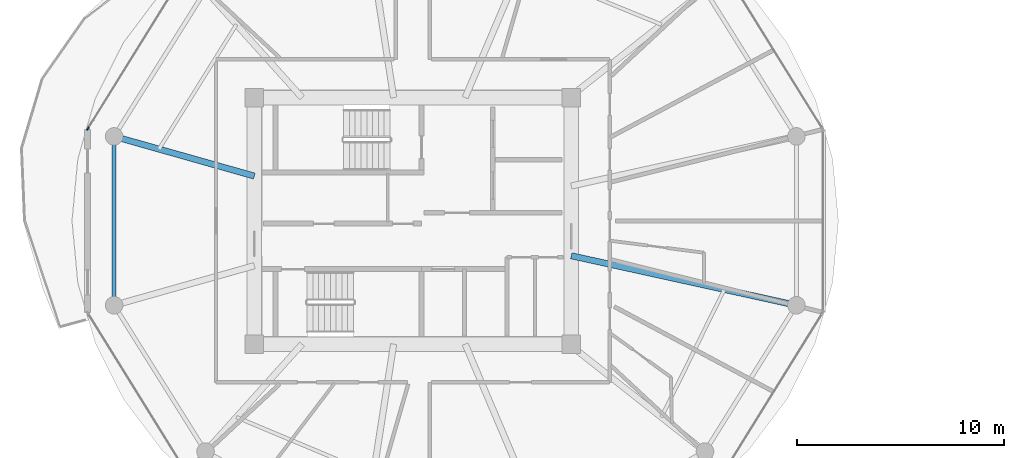
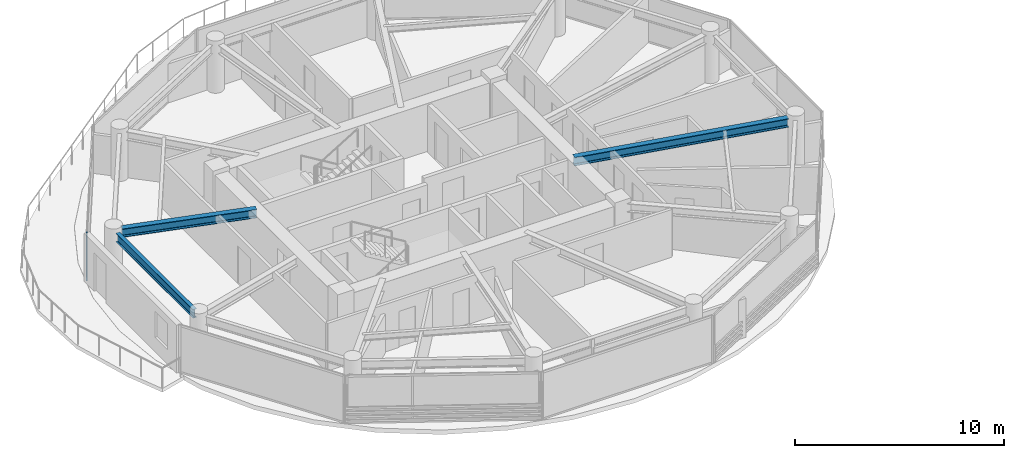
# One storey, part 3 of 24: 3 beams, 1 member, 1 element without a shape of its own.
"""IFC4 building model written with IfcOpenShell, lengths in metres."""

from ifc_helpers import new_model, si_unit, direction, frame, origin, origin_2d, place, context, subcontext, project, spatial, rectangle, i_section, extrude, source, transform, mapped, material, layer, layer_set, material_profile, profile_set, type_object, type_shapes, element, aggregate, save


model = new_model("IFC4")

# Units and contexts
model_context = context("Model", 3, precision=1e-05, world=origin(), true_north=direction((0.0, 1.0)))
body_context = subcontext(model_context, "Body", "Model", "MODEL_VIEW")
ifc_project = project(units=[si_unit("LENGTHUNIT", "METRE"), si_unit("AREAUNIT", "SQUARE_METRE"), si_unit("VOLUMEUNIT", "CUBIC_METRE"), si_unit("PLANEANGLEUNIT", "RADIAN"), si_unit("MASSUNIT", "GRAM", prefix="KILO")], contexts=[model_context])

# Site, building, storey
site_placement = place(None, origin())
site = spatial("IfcSite", under=ifc_project, at=site_placement, CompositionType="ELEMENT")
building_placement = place(site_placement, origin())
building = spatial("IfcBuilding", under=site, at=building_placement, Name="Norrkilde Senior Care Towers", CompositionType="ELEMENT")
storey_placement = place(building_placement, frame((0.0, 0.0, 90.14990234375)))
storey = spatial("IfcBuildingStorey", under=building, at=storey_placement, Name="L27", CompositionType="ELEMENT", Elevation=90.14990234375)

# Beams
ifc_material_1 = material(Name="Steel S355", Category="steel")
ifc_material_profile_1 = material_profile(ifc_material_1, i_section(OverallWidth=0.300048828125, OverallDepth=0.5, WebThickness=0.014404296875, FlangeThickness=0.028076171875, FilletRadius=0.027099609375, at=origin_2d()), Name="HEB 500")
ifc_profile_set_1 = profile_set([ifc_material_profile_1], Name="Steel S355")
beam_type_1 = type_object("IfcBeamType", Name="Radial Floor Beam Z2 HEB500", PredefinedType="BEAM", material=ifc_profile_set_1)
shared_shape_1 = source(origin(), body_context, "Body", "SweptSolid", [
    extrude(i_section(OverallWidth=0.300048828125, OverallDepth=0.5, WebThickness=0.014404296875, FlangeThickness=0.028076171875, FilletRadius=0.027099609375, at=origin_2d()), origin(), (0.0, 0.0, 1.0), 10.744384765625),
])
beam_1_placement = place(storey_placement, frame((-20.35009765625, -1.683837890625, 2.5400390625), z_axis=(0.976618711422, -0.214978818724, 0.0), x_axis=(0.214978818724, 0.976618711422, 0.0)))
element("IfcBeam", 1, at=beam_1_placement, inside=storey, type_object=beam_type_1, Name="L27 Drum W Radial Floor Beam 12", PredefinedType="BEAM", context=body_context, shape_type="MappedRepresentation", body=[
    mapped(shared_shape_1, transform((0.0, 0.0, 0.0), x_axis=(1.0, 0.0, 0.0), y_axis=(0.0, 1.0, 0.0), z_axis=(0.0, 0.0, 1.0), scale=1.0)),
])
ifc_material_profile_2 = material_profile(ifc_material_1, i_section(OverallWidth=0.199951171875, OverallDepth=0.5, WebThickness=0.01025390625, FlangeThickness=0.01611328125, FilletRadius=0.02099609375, at=origin_2d()), Name="IPE 500")
ifc_profile_set_2 = profile_set([ifc_material_profile_2], Name="Steel S355")
beam_type_2 = type_object("IfcBeamType", Name="Perimeter Ring Spandrel Z2 IPE500", PredefinedType="SPANDREL", material=ifc_profile_set_2)
shared_shape_2 = source(origin(), body_context, "Body", "SweptSolid", [
    extrude(i_section(OverallWidth=0.199951171875, OverallDepth=0.5, WebThickness=0.01025390625, FlangeThickness=0.01611328125, FilletRadius=0.02099609375, at=origin_2d()), origin(), (0.0, 0.0, 1.0), 7.3828125),
])
type_shapes(beam_type_2, [shared_shape_2])
beam_2_placement = place(storey_placement, frame((-42.4189453125, 3.69140625, 2.5400390625), z_axis=(0.0, -1.0, 0.0), x_axis=(1.0, 0.0, 0.0)))
element("IfcBeam", 2, at=beam_2_placement, inside=storey, type_object=beam_type_2, Name="L27 Drum W Perimeter Spandrel 06", PredefinedType="SPANDREL", context=body_context, shape_type="MappedRepresentation", body=[
    mapped(shared_shape_2, transform((0.0, 0.0, 0.0), x_axis=(1.0, 0.0, 0.0), y_axis=(0.0, 1.0, 0.0), z_axis=(0.0, 0.0, 1.0), scale=1.0)),
])
shared_shape_3 = source(origin(), body_context, "Body", "SweptSolid", [
    extrude(i_section(OverallWidth=0.300048828125, OverallDepth=0.5, WebThickness=0.014404296875, FlangeThickness=0.028076171875, FilletRadius=0.027099609375, at=origin_2d()), origin(), (0.0, 0.0, 1.0), 6.6494140625),
])
type_shapes(beam_type_1, [shared_shape_1, shared_shape_3])
beam_3_placement = place(storey_placement, frame((-35.64990234375, 2.162841796875, 2.5400390625), z_axis=(-0.962289138357, 0.27202870106, 0.0), x_axis=(-0.27202870106, -0.962289138357, 0.0)))
element("IfcBeam", 3, at=beam_3_placement, inside=storey, type_object=beam_type_1, Name="L27 Drum W Radial Floor Beam 06", PredefinedType="BEAM", context=body_context, shape_type="MappedRepresentation", body=[
    mapped(shared_shape_3, transform((0.0, 0.0, 0.0), x_axis=(1.0, 0.0, 0.0), y_axis=(0.0, 1.0, 0.0), z_axis=(0.0, 0.0, 1.0), scale=1.0)),
])

# Curtain wall, member
ifc_material_2 = material(Name="Triple Low-E Insulated Glazing", Category="glass")
ifc_layer = layer(ifc_material_2, 0.195068359375)
ifc_layer_set = layer_set([ifc_layer], Name="Triple Low-E Insulated Glazing")
curtain_wall_type = type_object("IfcCurtainWallType", Name="CW3 Zone 2 Assisted Living Curtain Wall", PredefinedType="NOTDEFINED", material=ifc_layer_set)
curtain_wall_placement = place(storey_placement, origin())
curtain_wall = element("IfcCurtainWall", 4, at=curtain_wall_placement, inside=storey, type_object=curtain_wall_type, Name="L27 Drum W Curtain Wall 04", PredefinedType="NOTDEFINED")
ifc_material_3 = material(Name="Anodised Aluminium", Category="aluminium")
ifc_material_profile_3 = material_profile(ifc_material_3, rectangle(XDim=0.06494140625, YDim=0.159912109375, at=origin_2d()), Name="ALU MULL 65x160")
ifc_profile_set_3 = profile_set([ifc_material_profile_3], Name="Anodised Aluminium")
member_type = type_object("IfcMemberType", Name="Curtain Wall Mullion Z1-Z2 65x160", PredefinedType="MULLION", material=ifc_profile_set_3)
shared_shape_4 = source(origin(), body_context, "Body", "SweptSolid", [
    extrude(rectangle(XDim=0.06494140625, YDim=0.159912109375, at=origin_2d()), origin(), (0.0, 0.0, 1.0), 2.7900390625),
])
type_shapes(member_type, [shared_shape_4])
member_placement = place(storey_placement, frame((-43.6865234375, 4.4482421875, 0.0), z_axis=(0.0, 0.0, 1.0), x_axis=(-0.849410171862, 0.527733228002, 0.0)))
member = element("IfcMember", 5, at=member_placement, type_object=member_type, Name="CW-3 mullion 1", PredefinedType="MULLION", context=body_context, shape_type="MappedRepresentation", body=[
    mapped(shared_shape_4, transform((0.0, 0.0, 0.0), x_axis=(1.0, 0.0, 0.0), y_axis=(0.0, 1.0, 0.0), z_axis=(0.0, 0.0, 1.0), scale=1.0)),
])
aggregate(curtain_wall, [member])

save(model, "model.ifc")
